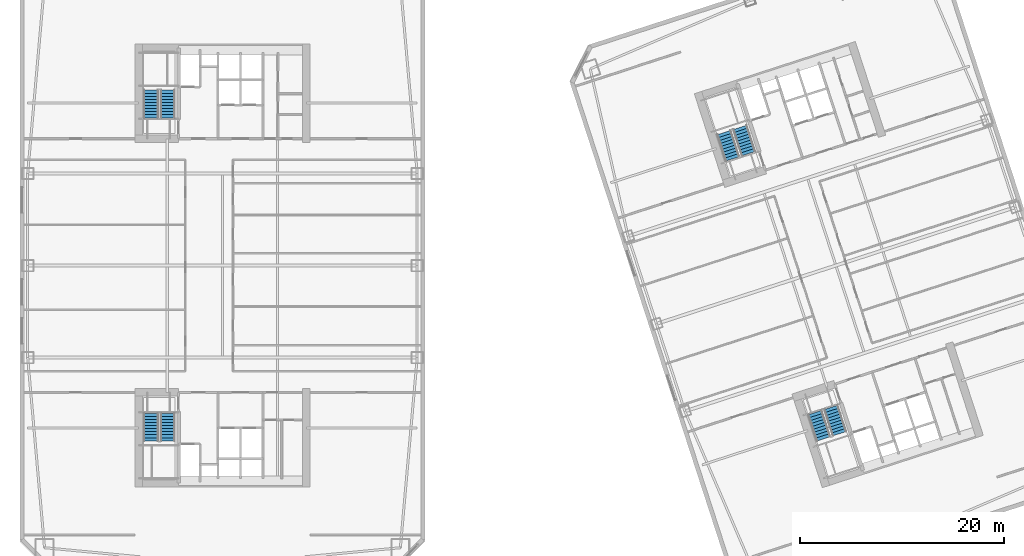
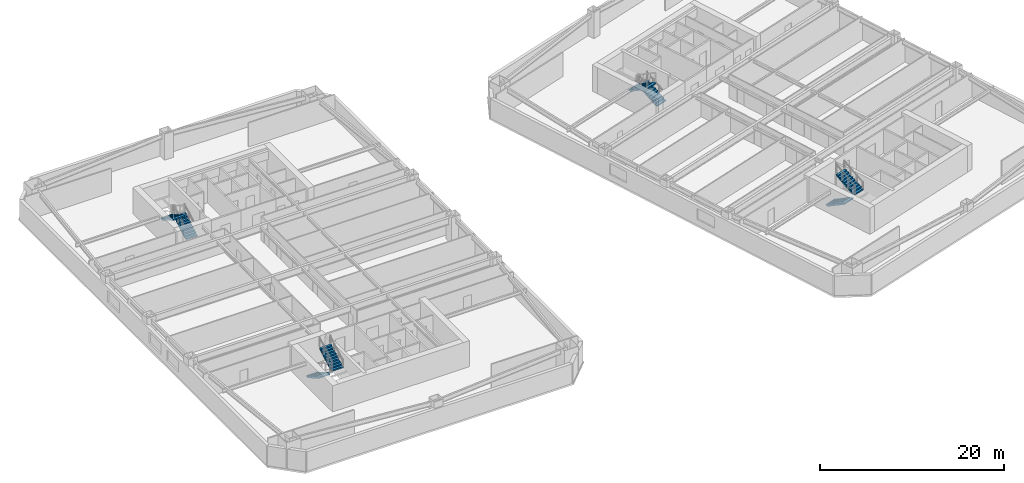
# One storey, part 17 of 19: 8 stair flights, 4 elements without a shape of their own.
"""IFC4 building model written with IfcOpenShell, lengths in metres."""

from ifc_helpers import new_model, si_unit, direction, frame, origin, place, context, subcontext, project, spatial, polyline, outline, extrude, material, type_object, element, aggregate, save


model = new_model("IFC4")

# Units and contexts
model_context = context("Model", 3, precision=1e-05, world=origin(), true_north=direction((0.0, 1.0)))
body_context = subcontext(model_context, "Body", "Model", "MODEL_VIEW")
ifc_project = project(units=[si_unit("LENGTHUNIT", "METRE"), si_unit("AREAUNIT", "SQUARE_METRE"), si_unit("VOLUMEUNIT", "CUBIC_METRE"), si_unit("PLANEANGLEUNIT", "RADIAN"), si_unit("MASSUNIT", "GRAM", prefix="KILO")], contexts=[model_context])

# Site, building, storey
site_placement = place(None, origin())
site = spatial("IfcSite", under=ifc_project, at=site_placement, CompositionType="ELEMENT")
building_placement = place(site_placement, origin())
building = spatial("IfcBuilding", under=site, at=building_placement, Name="Qiaolan Cultural Towers", CompositionType="ELEMENT")
storey_placement = place(building_placement, frame((0.0, 0.0, 54.050048828125)))
storey = spatial("IfcBuildingStorey", under=building, at=storey_placement, Name="L12", CompositionType="ELEMENT", Elevation=54.050048828125)

# Stair, stair flights
ifc_material_1 = material(Name="Concrete C45", Category="concrete")
stair_type = type_object("IfcStairType", Name="STR-CORE-1500", PredefinedType="HALF_TURN_STAIR", material=ifc_material_1)
stair_1_placement = place(storey_placement, origin())
stair_1 = element("IfcStair", 1, at=stair_1_placement, inside=storey, type_object=stair_type, Name="L12 Smokeproof Exit Stair ST-W1", PredefinedType="HALF_TURN_STAIR")
ifc_material_2 = material(Name="Concrete C45", Category="concrete")
stair_flight_type = type_object("IfcStairFlightType", Name="STR-CORE-1500-FL", PredefinedType="STRAIGHT", material=ifc_material_2)
stair_flight_1_placement = place(storey_placement, frame((23.02001953125, 19.550048828125, 0.0), z_axis=(0.0, 0.0, 1.0), x_axis=(0.0, -1.0, 0.0)))
stair_flight_1 = element("IfcStairFlight", 2, at=stair_flight_1_placement, type_object=stair_flight_type, Name="ST-W1 flight 1", NumberOfRisers=10, NumberOfTreads=9, PredefinedType="STRAIGHT", RiserHeight=0.1725, TreadLength=0.3, context=body_context, shape_type="SweptSolid", body=[
    extrude(outline(polyline([(0.0, 0.0), (0.0, 0.172607421875), (0.300048828125, 0.172607421875), (0.300048828125, 0.344970703125), (0.60009765625, 0.344970703125), (0.60009765625, 0.517578125), (0.89990234375, 0.517578125), (0.89990234375, 0.68994140625), (1.199951171875, 0.68994140625), (1.199951171875, 0.862548828125), (1.5, 0.862548828125), (1.5, 1.034912109375), (1.800048828125, 1.034912109375), (1.800048828125, 1.20751953125), (2.10009765625, 1.20751953125), (2.10009765625, 1.3798828125), (2.39990234375, 1.3798828125), (2.39990234375, 1.552490234375), (2.699951171875, 1.552490234375), (2.699951171875, 1.72509765625), (2.699951171875, 1.379638671875), (0.30078125, 0.0), (0.0, 0.0)])), frame((0.0, 0.719970703125, 0.0), z_axis=(0.0, -1.0, 0.0), x_axis=(1.0, 0.0, 0.0)), (0.0, 0.0, 1.0), 1.43994140625),
])
stair_flight_2_placement = place(storey_placement, frame((24.659912109375, 16.85009765625, 1.724853515625), z_axis=(0.0, 0.0, 1.0), x_axis=(0.0, 1.0, 0.0)))
stair_flight_2 = element("IfcStairFlight", 3, at=stair_flight_2_placement, type_object=stair_flight_type, Name="ST-W1 flight 2", NumberOfRisers=10, NumberOfTreads=9, PredefinedType="STRAIGHT", RiserHeight=0.1725, TreadLength=0.3, context=body_context, shape_type="SweptSolid", body=[
    extrude(outline(polyline([(0.0, 0.0), (0.0, 0.172607421875), (0.300048828125, 0.172607421875), (0.300048828125, 0.344970703125), (0.60009765625, 0.344970703125), (0.60009765625, 0.517578125), (0.89990234375, 0.517578125), (0.89990234375, 0.68994140625), (1.199951171875, 0.68994140625), (1.199951171875, 0.862548828125), (1.5, 0.862548828125), (1.5, 1.034912109375), (1.800048828125, 1.034912109375), (1.800048828125, 1.20751953125), (2.10009765625, 1.20751953125), (2.10009765625, 1.3798828125), (2.39990234375, 1.3798828125), (2.39990234375, 1.552490234375), (2.699951171875, 1.552490234375), (2.699951171875, 1.72509765625), (2.699951171875, 1.379638671875), (0.30078125, 0.0), (0.0, 0.0)])), frame((0.0, 0.719970703125, 0.0), z_axis=(0.0, -1.0, 0.0), x_axis=(1.0, 0.0, 0.0)), (0.0, 0.0, 1.0), 1.43994140625),
])
aggregate(stair_1, [stair_flight_1, stair_flight_2])

stair_2_placement = place(storey_placement, origin())
stair_2 = element("IfcStair", 4, at=stair_2_placement, inside=storey, type_object=stair_type, Name="L12 Smokeproof Exit Stair ST-W2", PredefinedType="HALF_TURN_STAIR")
stair_flight_3_placement = place(storey_placement, frame((24.659912109375, 48.449951171875, 0.0), z_axis=(0.0, 0.0, 1.0), x_axis=(0.0, 1.0, 0.0)))
stair_flight_3 = element("IfcStairFlight", 5, at=stair_flight_3_placement, type_object=stair_flight_type, Name="ST-W2 flight 1", NumberOfRisers=10, NumberOfTreads=9, PredefinedType="STRAIGHT", RiserHeight=0.1725, TreadLength=0.3, context=body_context, shape_type="SweptSolid", body=[
    extrude(outline(polyline([(0.0, 0.0), (0.0, 0.172607421875), (0.300048828125, 0.172607421875), (0.300048828125, 0.344970703125), (0.60009765625, 0.344970703125), (0.60009765625, 0.517578125), (0.89990234375, 0.517578125), (0.89990234375, 0.68994140625), (1.199951171875, 0.68994140625), (1.199951171875, 0.862548828125), (1.5, 0.862548828125), (1.5, 1.034912109375), (1.800048828125, 1.034912109375), (1.800048828125, 1.20751953125), (2.10009765625, 1.20751953125), (2.10009765625, 1.3798828125), (2.39990234375, 1.3798828125), (2.39990234375, 1.552490234375), (2.699951171875, 1.552490234375), (2.699951171875, 1.72509765625), (2.699951171875, 1.379638671875), (0.30078125, 0.0), (0.0, 0.0)])), frame((0.0, 0.719970703125, 0.0), z_axis=(0.0, -1.0, 0.0), x_axis=(1.0, 0.0, 0.0)), (0.0, 0.0, 1.0), 1.43994140625),
])
stair_flight_4_placement = place(storey_placement, frame((23.02001953125, 51.14990234375, 1.724853515625), z_axis=(0.0, 0.0, 1.0), x_axis=(0.0, -1.0, 0.0)))
stair_flight_4 = element("IfcStairFlight", 6, at=stair_flight_4_placement, type_object=stair_flight_type, Name="ST-W2 flight 2", NumberOfRisers=10, NumberOfTreads=9, PredefinedType="STRAIGHT", RiserHeight=0.1725, TreadLength=0.3, context=body_context, shape_type="SweptSolid", body=[
    extrude(outline(polyline([(0.0, 0.0), (0.0, 0.172607421875), (0.300048828125, 0.172607421875), (0.300048828125, 0.344970703125), (0.60009765625, 0.344970703125), (0.60009765625, 0.517578125), (0.89990234375, 0.517578125), (0.89990234375, 0.68994140625), (1.199951171875, 0.68994140625), (1.199951171875, 0.862548828125), (1.5, 0.862548828125), (1.5, 1.034912109375), (1.800048828125, 1.034912109375), (1.800048828125, 1.20751953125), (2.10009765625, 1.20751953125), (2.10009765625, 1.3798828125), (2.39990234375, 1.3798828125), (2.39990234375, 1.552490234375), (2.699951171875, 1.552490234375), (2.699951171875, 1.72509765625), (2.699951171875, 1.379638671875), (0.30078125, 0.0), (0.0, 0.0)])), frame((0.0, 0.719970703125, 0.0), z_axis=(0.0, -1.0, 0.0), x_axis=(1.0, 0.0, 0.0)), (0.0, 0.0, 1.0), 1.43994140625),
])
aggregate(stair_2, [stair_flight_3, stair_flight_4])

stair_3_placement = place(storey_placement, origin())
stair_3 = element("IfcStair", 7, at=stair_3_placement, inside=storey, type_object=stair_type, Name="L12 Smokeproof Exit Stair ST-E1", PredefinedType="HALF_TURN_STAIR")
stair_flight_5_placement = place(storey_placement, frame((87.96484375, 19.6171875, 0.0), z_axis=(0.0, 0.0, 1.0), x_axis=(0.309016994375, -0.951056516295, 0.0)))
stair_flight_5 = element("IfcStairFlight", 8, at=stair_flight_5_placement, type_object=stair_flight_type, Name="ST-E1 flight 1", NumberOfRisers=10, NumberOfTreads=9, PredefinedType="STRAIGHT", RiserHeight=0.1725, TreadLength=0.3, context=body_context, shape_type="SweptSolid", body=[
    extrude(outline(polyline([(0.0, 0.0), (0.0, 0.172607421875), (0.300048828125, 0.172607421875), (0.300048828125, 0.344970703125), (0.60009765625, 0.344970703125), (0.60009765625, 0.517578125), (0.89990234375, 0.517578125), (0.89990234375, 0.68994140625), (1.199951171875, 0.68994140625), (1.199951171875, 0.862548828125), (1.5, 0.862548828125), (1.5, 1.034912109375), (1.800048828125, 1.034912109375), (1.800048828125, 1.20751953125), (2.10009765625, 1.20751953125), (2.10009765625, 1.3798828125), (2.39990234375, 1.3798828125), (2.39990234375, 1.552490234375), (2.699951171875, 1.552490234375), (2.699951171875, 1.72509765625), (2.699951171875, 1.379638671875), (0.30078125, 0.0), (0.0, 0.0)])), frame((0.0, 0.719970703125, 0.0), z_axis=(0.0, -1.0, 0.0), x_axis=(1.0, 0.0, 0.0)), (0.0, 0.0, 1.0), 1.43994140625),
])
stair_flight_6_placement = place(storey_placement, frame((90.359130859375, 17.55615234375, 1.724853515625), z_axis=(0.0, 0.0, 1.0), x_axis=(-0.309016994375, 0.951056516295, 0.0)))
stair_flight_6 = element("IfcStairFlight", 9, at=stair_flight_6_placement, type_object=stair_flight_type, Name="ST-E1 flight 2", NumberOfRisers=10, NumberOfTreads=9, PredefinedType="STRAIGHT", RiserHeight=0.1725, TreadLength=0.3, context=body_context, shape_type="SweptSolid", body=[
    extrude(outline(polyline([(0.0, 0.0), (0.0, 0.172607421875), (0.300048828125, 0.172607421875), (0.300048828125, 0.344970703125), (0.60009765625, 0.344970703125), (0.60009765625, 0.517578125), (0.89990234375, 0.517578125), (0.89990234375, 0.68994140625), (1.199951171875, 0.68994140625), (1.199951171875, 0.862548828125), (1.5, 0.862548828125), (1.5, 1.034912109375), (1.800048828125, 1.034912109375), (1.800048828125, 1.20751953125), (2.10009765625, 1.20751953125), (2.10009765625, 1.3798828125), (2.39990234375, 1.3798828125), (2.39990234375, 1.552490234375), (2.699951171875, 1.552490234375), (2.699951171875, 1.72509765625), (2.699951171875, 1.379638671875), (0.30078125, 0.0), (0.0, 0.0)])), frame((0.0, 0.719970703125, 0.0), z_axis=(0.0, -1.0, 0.0), x_axis=(1.0, 0.0, 0.0)), (0.0, 0.0, 1.0), 1.43994140625),
])
aggregate(stair_3, [stair_flight_5, stair_flight_6])

stair_4_placement = place(storey_placement, origin())
stair_4 = element("IfcStair", 10, at=stair_4_placement, inside=storey, type_object=stair_type, Name="L12 Smokeproof Exit Stair ST-E2", PredefinedType="HALF_TURN_STAIR")
stair_flight_7_placement = place(storey_placement, frame((81.459228515625, 44.946533203125, 0.0), z_axis=(0.0, 0.0, 1.0), x_axis=(-0.309016994375, 0.951056516295, 0.0)))
stair_flight_7 = element("IfcStairFlight", 11, at=stair_flight_7_placement, type_object=stair_flight_type, Name="ST-E2 flight 1", NumberOfRisers=10, NumberOfTreads=9, PredefinedType="STRAIGHT", RiserHeight=0.1725, TreadLength=0.3, context=body_context, shape_type="SweptSolid", body=[
    extrude(outline(polyline([(0.0, 0.0), (0.0, 0.172607421875), (0.300048828125, 0.172607421875), (0.300048828125, 0.344970703125), (0.60009765625, 0.344970703125), (0.60009765625, 0.517578125), (0.89990234375, 0.517578125), (0.89990234375, 0.68994140625), (1.199951171875, 0.68994140625), (1.199951171875, 0.862548828125), (1.5, 0.862548828125), (1.5, 1.034912109375), (1.800048828125, 1.034912109375), (1.800048828125, 1.20751953125), (2.10009765625, 1.20751953125), (2.10009765625, 1.3798828125), (2.39990234375, 1.3798828125), (2.39990234375, 1.552490234375), (2.699951171875, 1.552490234375), (2.699951171875, 1.72509765625), (2.699951171875, 1.379638671875), (0.30078125, 0.0), (0.0, 0.0)])), frame((0.0, 0.719970703125, 0.0), z_axis=(0.0, -1.0, 0.0), x_axis=(1.0, 0.0, 0.0)), (0.0, 0.0, 1.0), 1.43994140625),
])
stair_flight_8_placement = place(storey_placement, frame((79.065185546875, 47.007568359375, 1.724853515625), z_axis=(0.0, 0.0, 1.0), x_axis=(0.309016994375, -0.951056516295, 0.0)))
stair_flight_8 = element("IfcStairFlight", 12, at=stair_flight_8_placement, type_object=stair_flight_type, Name="ST-E2 flight 2", NumberOfRisers=10, NumberOfTreads=9, PredefinedType="STRAIGHT", RiserHeight=0.1725, TreadLength=0.3, context=body_context, shape_type="SweptSolid", body=[
    extrude(outline(polyline([(0.0, 0.0), (0.0, 0.172607421875), (0.300048828125, 0.172607421875), (0.300048828125, 0.344970703125), (0.60009765625, 0.344970703125), (0.60009765625, 0.517578125), (0.89990234375, 0.517578125), (0.89990234375, 0.68994140625), (1.199951171875, 0.68994140625), (1.199951171875, 0.862548828125), (1.5, 0.862548828125), (1.5, 1.034912109375), (1.800048828125, 1.034912109375), (1.800048828125, 1.20751953125), (2.10009765625, 1.20751953125), (2.10009765625, 1.3798828125), (2.39990234375, 1.3798828125), (2.39990234375, 1.552490234375), (2.699951171875, 1.552490234375), (2.699951171875, 1.72509765625), (2.699951171875, 1.379638671875), (0.30078125, 0.0), (0.0, 0.0)])), frame((0.0, 0.719970703125, 0.0), z_axis=(0.0, -1.0, 0.0), x_axis=(1.0, 0.0, 0.0)), (0.0, 0.0, 1.0), 1.43994140625),
])
aggregate(stair_4, [stair_flight_7, stair_flight_8])

save(model, "model.ifc")
